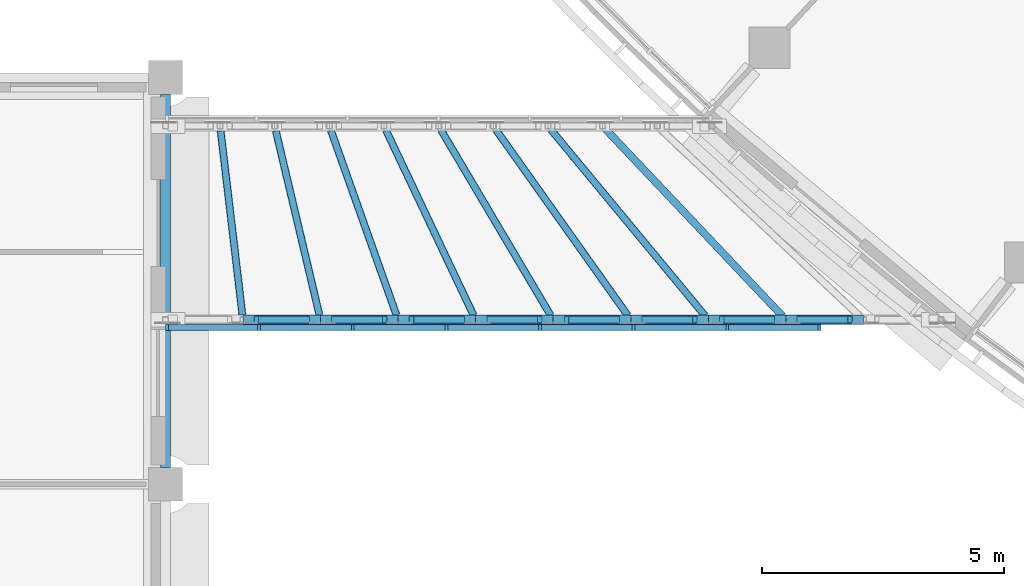
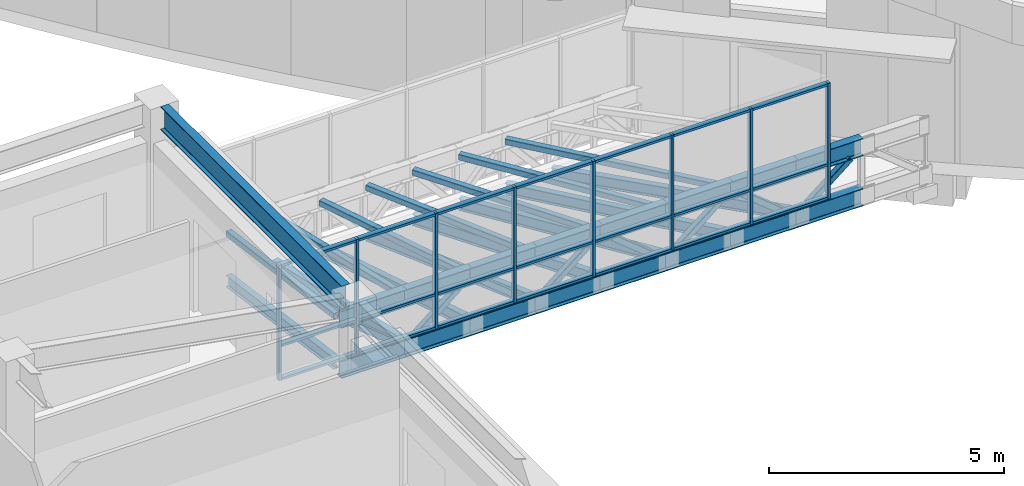
# One storey, part 4 of 136: 68 members, 1 beam, 1 element without a shape of its own.
"""IFC4 building model written with IfcOpenShell, lengths in metres."""

from ifc_helpers import new_model, si_unit, direction, frame, origin, origin_2d, place, context, subcontext, project, spatial, rectangle, hollow_rectangle, i_section, extrude, material, material_profile, profile_set, type_object, element, aggregate, save


model = new_model("IFC4")

# Units and contexts
model_context = context("Model", 3, precision=1e-05, world=origin(), true_north=direction((0.0, 1.0)))
body_context = subcontext(model_context, "Body", "Model", "MODEL_VIEW")
ifc_project = project(units=[si_unit("LENGTHUNIT", "METRE"), si_unit("AREAUNIT", "SQUARE_METRE"), si_unit("VOLUMEUNIT", "CUBIC_METRE"), si_unit("PLANEANGLEUNIT", "RADIAN"), si_unit("MASSUNIT", "GRAM", prefix="KILO")], contexts=[model_context])

# Site, building, storey
site_placement = place(None, origin())
site = spatial("IfcSite", under=ifc_project, at=site_placement, CompositionType="ELEMENT")
building_placement = place(site_placement, origin())
building = spatial("IfcBuilding", under=site, at=building_placement, Name="Bougainvillea Quay General Hospital", CompositionType="ELEMENT")
storey_placement = place(building_placement, frame((0.0, 0.0, 5.39990234375)))
storey = spatial("IfcBuildingStorey", under=building, at=storey_placement, Name="L01", CompositionType="ELEMENT", Elevation=5.39990234375)

# Curtain wall, members
ifc_material_1 = material(Name="Aluminium curtain wall system, powder-coated glazed", Category="aluminium")
curtain_wall_type = type_object("IfcCurtainWallType", Name="Unitised curtain wall CW-2100", PredefinedType="NOTDEFINED", material=ifc_material_1)
curtain_wall_placement = place(storey_placement, origin())
curtain_wall = element("IfcCurtainWall", 1, at=curtain_wall_placement, inside=storey, type_object=curtain_wall_type, Name="BG-R R", PredefinedType="NOTDEFINED")
ifc_material_2 = material(Name="Aluminium mullion, powder-coated charcoal", Category="aluminium")
ifc_material_profile_1 = material_profile(ifc_material_2, rectangle(XDim=0.1201171875, YDim=0.06005859375, at=origin_2d()))
ifc_profile_set_1 = profile_set([ifc_material_profile_1], Name="Aluminium mullion, powder-coated charcoal")
member_type_1 = type_object("IfcMemberType", Name="Curtain wall mullion 120x60", PredefinedType="MULLION", material=ifc_profile_set_1)
member_1_placement = place(storey_placement, frame((63.909912109375, 70.43994140625, 0.0), z_axis=(0.0, 0.0, 1.0), x_axis=(0.0, -1.0, 0.0)))
member_1 = element("IfcMember", 2, at=member_1_placement, type_object=member_type_1, Name="BG-R mullion 1", PredefinedType="MULLION", context=body_context, shape_type="SweptSolid", body=[
    extrude(rectangle(XDim=0.1201171875, YDim=0.06005859375, at=origin_2d()), origin(), (0.0, 0.0, 1.0), 3.0),
])
member_2_placement = place(storey_placement, frame((62.005615234375, 70.43994140625, 0.0), z_axis=(0.0, 0.0, 1.0), x_axis=(0.0, -1.0, 0.0)))
member_2 = element("IfcMember", 3, at=member_2_placement, type_object=member_type_1, Name="BG-R mullion 2", PredefinedType="MULLION", context=body_context, shape_type="SweptSolid", body=[
    extrude(rectangle(XDim=0.1201171875, YDim=0.06005859375, at=origin_2d()), origin(), (0.0, 0.0, 1.0), 3.0),
])
member_3_placement = place(storey_placement, frame((60.071533203125, 70.43994140625, 0.0), z_axis=(0.0, 0.0, 1.0), x_axis=(0.0, -1.0, 0.0)))
member_3 = element("IfcMember", 4, at=member_3_placement, type_object=member_type_1, Name="BG-R mullion 3", PredefinedType="MULLION", context=body_context, shape_type="SweptSolid", body=[
    extrude(rectangle(XDim=0.1201171875, YDim=0.06005859375, at=origin_2d()), origin(), (0.0, 0.0, 1.0), 3.0),
])
member_4_placement = place(storey_placement, frame((58.13720703125, 70.43994140625, 0.0), z_axis=(0.0, 0.0, 1.0), x_axis=(0.0, -1.0, 0.0)))
member_4 = element("IfcMember", 5, at=member_4_placement, type_object=member_type_1, Name="BG-R mullion 4", PredefinedType="MULLION", context=body_context, shape_type="SweptSolid", body=[
    extrude(rectangle(XDim=0.1201171875, YDim=0.06005859375, at=origin_2d()), origin(), (0.0, 0.0, 1.0), 3.0),
])
member_5_placement = place(storey_placement, frame((56.202880859375, 70.43994140625, 0.0), z_axis=(0.0, 0.0, 1.0), x_axis=(0.0, -1.0, 0.0)))
member_5 = element("IfcMember", 6, at=member_5_placement, type_object=member_type_1, Name="BG-R mullion 5", PredefinedType="MULLION", context=body_context, shape_type="SweptSolid", body=[
    extrude(rectangle(XDim=0.1201171875, YDim=0.06005859375, at=origin_2d()), origin(), (0.0, 0.0, 1.0), 3.0),
])
member_6_placement = place(storey_placement, frame((54.2685546875, 70.43994140625, 0.0), z_axis=(0.0, 0.0, 1.0), x_axis=(0.0, -1.0, 0.0)))
member_6 = element("IfcMember", 7, at=member_6_placement, type_object=member_type_1, Name="BG-R mullion 6", PredefinedType="MULLION", context=body_context, shape_type="SweptSolid", body=[
    extrude(rectangle(XDim=0.1201171875, YDim=0.06005859375, at=origin_2d()), origin(), (0.0, 0.0, 1.0), 3.0),
])
member_7_placement = place(storey_placement, frame((52.334228515625, 70.43994140625, 0.0), z_axis=(0.0, 0.0, 1.0), x_axis=(0.0, -1.0, 0.0)))
member_7 = element("IfcMember", 8, at=member_7_placement, type_object=member_type_1, Name="BG-R mullion 7", PredefinedType="MULLION", context=body_context, shape_type="SweptSolid", body=[
    extrude(rectangle(XDim=0.1201171875, YDim=0.06005859375, at=origin_2d()), origin(), (0.0, 0.0, 1.0), 3.0),
])
member_8_placement = place(storey_placement, frame((50.429931640625, 70.43994140625, 0.0), z_axis=(0.0, 0.0, 1.0), x_axis=(0.0, -1.0, 0.0)))
member_8 = element("IfcMember", 9, at=member_8_placement, type_object=member_type_1, Name="BG-R mullion 8", PredefinedType="MULLION", context=body_context, shape_type="SweptSolid", body=[
    extrude(rectangle(XDim=0.1201171875, YDim=0.06005859375, at=origin_2d()), origin(), (0.0, 0.0, 1.0), 3.0),
])
ifc_material_3 = material(Name="Aluminium transom, powder-coated charcoal", Category="aluminium")
ifc_material_profile_2 = material_profile(ifc_material_3, rectangle(XDim=0.1201171875, YDim=0.06005859375, at=origin_2d()))
ifc_profile_set_2 = profile_set([ifc_material_profile_2], Name="Aluminium transom, powder-coated charcoal")
member_type_2 = type_object("IfcMemberType", Name="Curtain wall transom 120x60", PredefinedType="USERDEFINED", material=ifc_profile_set_2)
member_9_placement = place(storey_placement, frame((63.8798828125, 70.43994140625, 0.030029296875), z_axis=(-1.0, 0.0, 0.0), x_axis=(0.0, -1.0, 0.0)))
member_9 = element("IfcMember", 10, at=member_9_placement, type_object=member_type_2, Name="BG-R transom 1.1", ObjectType="TRANSOM", PredefinedType="USERDEFINED", context=body_context, shape_type="SweptSolid", body=[
    extrude(rectangle(XDim=0.1201171875, YDim=0.06005859375, at=origin_2d()), origin(), (0.0, 0.0, 1.0), 1.84423828125),
])
member_10_placement = place(storey_placement, frame((63.8798828125, 70.43994140625, 0.900146484375), z_axis=(-1.0, 0.0, 0.0), x_axis=(0.0, -1.0, 0.0)))
member_10 = element("IfcMember", 11, at=member_10_placement, type_object=member_type_2, Name="BG-R transom 1.2", ObjectType="TRANSOM", PredefinedType="USERDEFINED", context=body_context, shape_type="SweptSolid", body=[
    extrude(rectangle(XDim=0.1201171875, YDim=0.06005859375, at=origin_2d()), origin(), (0.0, 0.0, 1.0), 1.84423828125),
])
member_11_placement = place(storey_placement, frame((63.8798828125, 70.43994140625, 2.97021484375), z_axis=(-1.0, 0.0, 0.0), x_axis=(0.0, -1.0, 0.0)))
member_11 = element("IfcMember", 12, at=member_11_placement, type_object=member_type_2, Name="BG-R transom 1.3", ObjectType="TRANSOM", PredefinedType="USERDEFINED", context=body_context, shape_type="SweptSolid", body=[
    extrude(rectangle(XDim=0.1201171875, YDim=0.06005859375, at=origin_2d()), origin(), (0.0, 0.0, 1.0), 1.84423828125),
])
member_12_placement = place(storey_placement, frame((61.975830078125, 70.43994140625, 0.030029296875), z_axis=(-1.0, 0.0, 0.0), x_axis=(0.0, -1.0, 0.0)))
member_12 = element("IfcMember", 13, at=member_12_placement, type_object=member_type_2, Name="BG-R transom 2.1", ObjectType="TRANSOM", PredefinedType="USERDEFINED", context=body_context, shape_type="SweptSolid", body=[
    extrude(rectangle(XDim=0.1201171875, YDim=0.06005859375, at=origin_2d()), origin(), (0.0, 0.0, 1.0), 1.87451171875),
])
member_13_placement = place(storey_placement, frame((61.975830078125, 70.43994140625, 0.900146484375), z_axis=(-1.0, 0.0, 0.0), x_axis=(0.0, -1.0, 0.0)))
member_13 = element("IfcMember", 14, at=member_13_placement, type_object=member_type_2, Name="BG-R transom 2.2", ObjectType="TRANSOM", PredefinedType="USERDEFINED", context=body_context, shape_type="SweptSolid", body=[
    extrude(rectangle(XDim=0.1201171875, YDim=0.06005859375, at=origin_2d()), origin(), (0.0, 0.0, 1.0), 1.87451171875),
])
member_14_placement = place(storey_placement, frame((61.975830078125, 70.43994140625, 2.97021484375), z_axis=(-1.0, 0.0, 0.0), x_axis=(0.0, -1.0, 0.0)))
member_14 = element("IfcMember", 15, at=member_14_placement, type_object=member_type_2, Name="BG-R transom 2.3", ObjectType="TRANSOM", PredefinedType="USERDEFINED", context=body_context, shape_type="SweptSolid", body=[
    extrude(rectangle(XDim=0.1201171875, YDim=0.06005859375, at=origin_2d()), origin(), (0.0, 0.0, 1.0), 1.87451171875),
])
member_15_placement = place(storey_placement, frame((60.04150390625, 70.43994140625, 0.030029296875), z_axis=(-1.0, 0.0, 0.0), x_axis=(0.0, -1.0, 0.0)))
member_15 = element("IfcMember", 16, at=member_15_placement, type_object=member_type_2, Name="BG-R transom 3.1", ObjectType="TRANSOM", PredefinedType="USERDEFINED", context=body_context, shape_type="SweptSolid", body=[
    extrude(rectangle(XDim=0.1201171875, YDim=0.06005859375, at=origin_2d()), origin(), (0.0, 0.0, 1.0), 1.874267578125),
])
member_16_placement = place(storey_placement, frame((60.04150390625, 70.43994140625, 0.900146484375), z_axis=(-1.0, 0.0, 0.0), x_axis=(0.0, -1.0, 0.0)))
member_16 = element("IfcMember", 17, at=member_16_placement, type_object=member_type_2, Name="BG-R transom 3.2", ObjectType="TRANSOM", PredefinedType="USERDEFINED", context=body_context, shape_type="SweptSolid", body=[
    extrude(rectangle(XDim=0.1201171875, YDim=0.06005859375, at=origin_2d()), origin(), (0.0, 0.0, 1.0), 1.874267578125),
])
member_17_placement = place(storey_placement, frame((60.04150390625, 70.43994140625, 2.97021484375), z_axis=(-1.0, 0.0, 0.0), x_axis=(0.0, -1.0, 0.0)))
member_17 = element("IfcMember", 18, at=member_17_placement, type_object=member_type_2, Name="BG-R transom 3.3", ObjectType="TRANSOM", PredefinedType="USERDEFINED", context=body_context, shape_type="SweptSolid", body=[
    extrude(rectangle(XDim=0.1201171875, YDim=0.06005859375, at=origin_2d()), origin(), (0.0, 0.0, 1.0), 1.874267578125),
])
member_18_placement = place(storey_placement, frame((58.107177734375, 70.43994140625, 0.030029296875), z_axis=(-1.0, 0.0, 0.0), x_axis=(0.0, -1.0, 0.0)))
member_18 = element("IfcMember", 19, at=member_18_placement, type_object=member_type_2, Name="BG-R transom 4.1", ObjectType="TRANSOM", PredefinedType="USERDEFINED", context=body_context, shape_type="SweptSolid", body=[
    extrude(rectangle(XDim=0.1201171875, YDim=0.06005859375, at=origin_2d()), origin(), (0.0, 0.0, 1.0), 1.874267578125),
])
member_19_placement = place(storey_placement, frame((58.107177734375, 70.43994140625, 0.900146484375), z_axis=(-1.0, 0.0, 0.0), x_axis=(0.0, -1.0, 0.0)))
member_19 = element("IfcMember", 20, at=member_19_placement, type_object=member_type_2, Name="BG-R transom 4.2", ObjectType="TRANSOM", PredefinedType="USERDEFINED", context=body_context, shape_type="SweptSolid", body=[
    extrude(rectangle(XDim=0.1201171875, YDim=0.06005859375, at=origin_2d()), origin(), (0.0, 0.0, 1.0), 1.874267578125),
])
member_20_placement = place(storey_placement, frame((58.107177734375, 70.43994140625, 2.97021484375), z_axis=(-1.0, 0.0, 0.0), x_axis=(0.0, -1.0, 0.0)))
member_20 = element("IfcMember", 21, at=member_20_placement, type_object=member_type_2, Name="BG-R transom 4.3", ObjectType="TRANSOM", PredefinedType="USERDEFINED", context=body_context, shape_type="SweptSolid", body=[
    extrude(rectangle(XDim=0.1201171875, YDim=0.06005859375, at=origin_2d()), origin(), (0.0, 0.0, 1.0), 1.874267578125),
])
member_21_placement = place(storey_placement, frame((56.1728515625, 70.43994140625, 0.030029296875), z_axis=(-1.0, 0.0, 0.0), x_axis=(0.0, -1.0, 0.0)))
member_21 = element("IfcMember", 22, at=member_21_placement, type_object=member_type_2, Name="BG-R transom 5.1", ObjectType="TRANSOM", PredefinedType="USERDEFINED", context=body_context, shape_type="SweptSolid", body=[
    extrude(rectangle(XDim=0.1201171875, YDim=0.06005859375, at=origin_2d()), origin(), (0.0, 0.0, 1.0), 1.874267578125),
])
member_22_placement = place(storey_placement, frame((56.1728515625, 70.43994140625, 0.900146484375), z_axis=(-1.0, 0.0, 0.0), x_axis=(0.0, -1.0, 0.0)))
member_22 = element("IfcMember", 23, at=member_22_placement, type_object=member_type_2, Name="BG-R transom 5.2", ObjectType="TRANSOM", PredefinedType="USERDEFINED", context=body_context, shape_type="SweptSolid", body=[
    extrude(rectangle(XDim=0.1201171875, YDim=0.06005859375, at=origin_2d()), origin(), (0.0, 0.0, 1.0), 1.874267578125),
])
member_23_placement = place(storey_placement, frame((56.1728515625, 70.43994140625, 2.97021484375), z_axis=(-1.0, 0.0, 0.0), x_axis=(0.0, -1.0, 0.0)))
member_23 = element("IfcMember", 24, at=member_23_placement, type_object=member_type_2, Name="BG-R transom 5.3", ObjectType="TRANSOM", PredefinedType="USERDEFINED", context=body_context, shape_type="SweptSolid", body=[
    extrude(rectangle(XDim=0.1201171875, YDim=0.06005859375, at=origin_2d()), origin(), (0.0, 0.0, 1.0), 1.874267578125),
])
member_24_placement = place(storey_placement, frame((54.238525390625, 70.43994140625, 0.030029296875), z_axis=(-1.0, 0.0, 0.0), x_axis=(0.0, -1.0, 0.0)))
member_24 = element("IfcMember", 25, at=member_24_placement, type_object=member_type_2, Name="BG-R transom 6.1", ObjectType="TRANSOM", PredefinedType="USERDEFINED", context=body_context, shape_type="SweptSolid", body=[
    extrude(rectangle(XDim=0.1201171875, YDim=0.06005859375, at=origin_2d()), origin(), (0.0, 0.0, 1.0), 1.874267578125),
])
member_25_placement = place(storey_placement, frame((54.238525390625, 70.43994140625, 0.900146484375), z_axis=(-1.0, 0.0, 0.0), x_axis=(0.0, -1.0, 0.0)))
member_25 = element("IfcMember", 26, at=member_25_placement, type_object=member_type_2, Name="BG-R transom 6.2", ObjectType="TRANSOM", PredefinedType="USERDEFINED", context=body_context, shape_type="SweptSolid", body=[
    extrude(rectangle(XDim=0.1201171875, YDim=0.06005859375, at=origin_2d()), origin(), (0.0, 0.0, 1.0), 1.874267578125),
])
member_26_placement = place(storey_placement, frame((54.238525390625, 70.43994140625, 2.97021484375), z_axis=(-1.0, 0.0, 0.0), x_axis=(0.0, -1.0, 0.0)))
member_26 = element("IfcMember", 27, at=member_26_placement, type_object=member_type_2, Name="BG-R transom 6.3", ObjectType="TRANSOM", PredefinedType="USERDEFINED", context=body_context, shape_type="SweptSolid", body=[
    extrude(rectangle(XDim=0.1201171875, YDim=0.06005859375, at=origin_2d()), origin(), (0.0, 0.0, 1.0), 1.874267578125),
])
member_27_placement = place(storey_placement, frame((52.30419921875, 70.43994140625, 0.030029296875), z_axis=(-1.0, 0.0, 0.0), x_axis=(0.0, -1.0, 0.0)))
member_27 = element("IfcMember", 28, at=member_27_placement, type_object=member_type_2, Name="BG-R transom 7.1", ObjectType="TRANSOM", PredefinedType="USERDEFINED", context=body_context, shape_type="SweptSolid", body=[
    extrude(rectangle(XDim=0.1201171875, YDim=0.06005859375, at=origin_2d()), origin(), (0.0, 0.0, 1.0), 1.84423828125),
])
member_28_placement = place(storey_placement, frame((52.30419921875, 70.43994140625, 0.900146484375), z_axis=(-1.0, 0.0, 0.0), x_axis=(0.0, -1.0, 0.0)))
member_28 = element("IfcMember", 29, at=member_28_placement, type_object=member_type_2, Name="BG-R transom 7.2", ObjectType="TRANSOM", PredefinedType="USERDEFINED", context=body_context, shape_type="SweptSolid", body=[
    extrude(rectangle(XDim=0.1201171875, YDim=0.06005859375, at=origin_2d()), origin(), (0.0, 0.0, 1.0), 1.84423828125),
])
member_29_placement = place(storey_placement, frame((52.30419921875, 70.43994140625, 2.97021484375), z_axis=(-1.0, 0.0, 0.0), x_axis=(0.0, -1.0, 0.0)))
member_29 = element("IfcMember", 30, at=member_29_placement, type_object=member_type_2, Name="BG-R transom 7.3", ObjectType="TRANSOM", PredefinedType="USERDEFINED", context=body_context, shape_type="SweptSolid", body=[
    extrude(rectangle(XDim=0.1201171875, YDim=0.06005859375, at=origin_2d()), origin(), (0.0, 0.0, 1.0), 1.84423828125),
])
aggregate(curtain_wall, [member_1, member_2, member_3, member_4, member_5, member_6, member_7, member_8, member_9, member_10, member_11, member_12, member_13, member_14, member_15, member_16, member_17, member_18, member_19, member_20, member_21, member_22, member_23, member_24, member_25, member_26, member_27, member_28, member_29])

# Members
ifc_material_4 = material(Name="Steel Q355", Category="steel")
ifc_material_profile_3 = material_profile(ifc_material_4, i_section(OverallWidth=0.14990234375, OverallDepth=0.300048828125, WebThickness=0.006591796875, FlangeThickness=0.009033203125, FilletRadius=0.012939453125, at=origin_2d()))
ifc_profile_set_3 = profile_set([ifc_material_profile_3], Name="Steel Q355")
member_type_3 = type_object("IfcMemberType", Name="HN 300x150x6.5x9 Q355 STRUT", PredefinedType="STRUT", material=ifc_profile_set_3)
member_30_placement = place(storey_placement, frame((51.54052734375, 74.500732421875, -0.27001953125), z_axis=(0.117477690031, -0.993075521974, 0.0), x_axis=(0.993075521974, 0.117477690031, 0.0)))
element("IfcMember", 31, at=member_30_placement, inside=storey, type_object=member_type_3, Name="Bridge floor beam", PredefinedType="STRUT", context=body_context, shape_type="SweptSolid", body=[
    extrude(i_section(OverallWidth=0.14990234375, OverallDepth=0.300048828125, WebThickness=0.006591796875, FlangeThickness=0.009033203125, FilletRadius=0.012939453125, at=origin_2d()), origin(), (0.0, 0.0, 1.0), 3.828125),
])
member_31_placement = place(storey_placement, frame((52.680419921875, 74.502685546875, -0.27001953125), z_axis=(0.230250137439, -0.973131478378, 0.0), x_axis=(0.973131478378, 0.230250137439, 0.0)))
element("IfcMember", 32, at=member_31_placement, inside=storey, type_object=member_type_3, Name="Bridge floor beam", PredefinedType="STRUT", context=body_context, shape_type="SweptSolid", body=[
    extrude(i_section(OverallWidth=0.14990234375, OverallDepth=0.300048828125, WebThickness=0.006591796875, FlangeThickness=0.009033203125, FilletRadius=0.012939453125, at=origin_2d()), origin(), (0.0, 0.0, 1.0), 3.910400390625),
])
member_32_placement = place(storey_placement, frame((53.819580078125, 74.505859375, -0.27001953125), z_axis=(0.334477293627, -0.94240380944, 0.0), x_axis=(0.94240380944, 0.334477293627, 0.0)))
element("IfcMember", 33, at=member_32_placement, inside=storey, type_object=member_type_3, Name="Bridge floor beam", PredefinedType="STRUT", context=body_context, shape_type="SweptSolid", body=[
    extrude(i_section(OverallWidth=0.14990234375, OverallDepth=0.300048828125, WebThickness=0.006591796875, FlangeThickness=0.009033203125, FilletRadius=0.012939453125, at=origin_2d()), origin(), (0.0, 0.0, 1.0), 4.04443359375),
])
member_33_placement = place(storey_placement, frame((54.957763671875, 74.509521484375, -0.27001953125), z_axis=(0.427763415534, -0.90389073473, 0.0), x_axis=(0.90389073473, 0.427763415534, 0.0)))
element("IfcMember", 34, at=member_33_placement, inside=storey, type_object=member_type_3, Name="Bridge floor beam", PredefinedType="STRUT", context=body_context, shape_type="SweptSolid", body=[
    extrude(i_section(OverallWidth=0.14990234375, OverallDepth=0.300048828125, WebThickness=0.006591796875, FlangeThickness=0.009033203125, FilletRadius=0.012939453125, at=origin_2d()), origin(), (0.0, 0.0, 1.0), 4.22509765625),
])
member_34_placement = place(storey_placement, frame((56.0947265625, 74.513916015625, -0.27001953125), z_axis=(0.509101007378, -0.860706781829, 0.0), x_axis=(0.860706781829, 0.509101007378, 0.0)))
element("IfcMember", 35, at=member_34_placement, inside=storey, type_object=member_type_3, Name="Bridge floor beam", PredefinedType="STRUT", context=body_context, shape_type="SweptSolid", body=[
    extrude(i_section(OverallWidth=0.14990234375, OverallDepth=0.300048828125, WebThickness=0.006591796875, FlangeThickness=0.009033203125, FilletRadius=0.012939453125, at=origin_2d()), origin(), (0.0, 0.0, 1.0), 4.447265625),
])
member_35_placement = place(storey_placement, frame((57.230224609375, 74.5185546875, -0.27001953125), z_axis=(0.578840504705, -0.815440782713, 0.0), x_axis=(0.815440782713, 0.578840504705, 0.0)))
element("IfcMember", 36, at=member_35_placement, inside=storey, type_object=member_type_3, Name="Bridge floor beam", PredefinedType="STRUT", context=body_context, shape_type="SweptSolid", body=[
    extrude(i_section(OverallWidth=0.14990234375, OverallDepth=0.300048828125, WebThickness=0.006591796875, FlangeThickness=0.009033203125, FilletRadius=0.012939453125, at=origin_2d()), origin(), (0.0, 0.0, 1.0), 4.705322265625),
])
member_36_placement = place(storey_placement, frame((58.364990234375, 74.52294921875, -0.27001953125), z_axis=(0.637800829279, -0.770201338723, 0.0), x_axis=(0.770201338723, 0.637800829279, 0.0)))
element("IfcMember", 37, at=member_36_placement, inside=storey, type_object=member_type_3, Name="Bridge floor beam", PredefinedType="STRUT", context=body_context, shape_type="SweptSolid", body=[
    extrude(i_section(OverallWidth=0.14990234375, OverallDepth=0.300048828125, WebThickness=0.006591796875, FlangeThickness=0.009033203125, FilletRadius=0.012939453125, at=origin_2d()), origin(), (0.0, 0.0, 1.0), 4.993408203125),
])
member_37_placement = place(storey_placement, frame((59.498779296875, 74.52734375, -0.27001953125), z_axis=(0.687380925046, -0.726297090648, 0.0), x_axis=(0.726297090648, 0.687380925046, 0.0)))
element("IfcMember", 38, at=member_37_placement, inside=storey, type_object=member_type_3, Name="Bridge floor beam", PredefinedType="STRUT", context=body_context, shape_type="SweptSolid", body=[
    extrude(i_section(OverallWidth=0.14990234375, OverallDepth=0.300048828125, WebThickness=0.006591796875, FlangeThickness=0.009033203125, FilletRadius=0.012939453125, at=origin_2d()), origin(), (0.0, 0.0, 1.0), 5.307373046875),
])
ifc_material_profile_4 = material_profile(ifc_material_4, i_section(OverallWidth=0.199951171875, OverallDepth=0.449951171875, WebThickness=0.009033203125, FlangeThickness=0.013916015625, FilletRadius=0.012939453125, at=origin_2d()))
ifc_profile_set_4 = profile_set([ifc_material_profile_4], Name="Steel Q355")
member_type_4 = type_object("IfcMemberType", Name="HN 450x200x9x14 Q355 CHORD", PredefinedType="CHORD", material=ifc_profile_set_4)
for number, where, z_axis, x_axis, name in (
    (39, (52.001953125, 70.60009765625, -0.344970703125), (1.0, 0.0, 0.0), (0.0, 1.0, 0.0), "Bottom chord"),
    (40, (52.001953125, 70.60009765625, 0.955078125), (1.0, 0.0, 0.0), (0.0, 1.0, 0.0), "Top chord"),
):
    element("IfcMember", number, at=place(storey_placement, frame(where, z_axis=z_axis, x_axis=x_axis)), inside=storey, type_object=member_type_4, Name=name, PredefinedType="CHORD", context=body_context, shape_type="SweptSolid", body=[
        extrude(i_section(OverallWidth=0.199951171875, OverallDepth=0.449951171875, WebThickness=0.009033203125, FlangeThickness=0.013916015625, FilletRadius=0.012939453125, at=origin_2d()), origin(), (0.0, 0.0, 1.0), 1.60205078125),
    ])
for number, where, z_axis, x_axis, name in (
    (41, (53.60400390625, 70.60009765625, -0.344970703125), (1.0, 0.0, 0.0), (0.0, 1.0, 0.0), "Bottom chord"),
    (42, (53.60400390625, 70.60009765625, 0.955078125), (1.0, 0.0, 0.0), (0.0, 1.0, 0.0), "Top chord"),
):
    element("IfcMember", number, at=place(storey_placement, frame(where, z_axis=z_axis, x_axis=x_axis)), inside=storey, type_object=member_type_4, Name=name, PredefinedType="CHORD", context=body_context, shape_type="SweptSolid", body=[
        extrude(i_section(OverallWidth=0.199951171875, OverallDepth=0.449951171875, WebThickness=0.009033203125, FlangeThickness=0.013916015625, FilletRadius=0.012939453125, at=origin_2d()), origin(), (0.0, 0.0, 1.0), 1.601806640625),
    ])
for number, where, z_axis, x_axis, name in (
    (43, (55.205810546875, 70.60009765625, -0.344970703125), (1.0, 0.0, 0.0), (0.0, 1.0, 0.0), "Bottom chord"),
    (44, (55.205810546875, 70.60009765625, 0.955078125), (1.0, 0.0, 0.0), (0.0, 1.0, 0.0), "Top chord"),
):
    element("IfcMember", number, at=place(storey_placement, frame(where, z_axis=z_axis, x_axis=x_axis)), inside=storey, type_object=member_type_4, Name=name, PredefinedType="CHORD", context=body_context, shape_type="SweptSolid", body=[
        extrude(i_section(OverallWidth=0.199951171875, OverallDepth=0.449951171875, WebThickness=0.009033203125, FlangeThickness=0.013916015625, FilletRadius=0.012939453125, at=origin_2d()), origin(), (0.0, 0.0, 1.0), 1.60205078125),
    ])
for number, where, z_axis, x_axis, name in (
    (45, (56.807861328125, 70.60009765625, -0.344970703125), (1.0, 0.0, 0.0), (0.0, 1.0, 0.0), "Bottom chord"),
    (46, (56.807861328125, 70.60009765625, 0.955078125), (1.0, 0.0, 0.0), (0.0, 1.0, 0.0), "Top chord"),
):
    element("IfcMember", number, at=place(storey_placement, frame(where, z_axis=z_axis, x_axis=x_axis)), inside=storey, type_object=member_type_4, Name=name, PredefinedType="CHORD", context=body_context, shape_type="SweptSolid", body=[
        extrude(i_section(OverallWidth=0.199951171875, OverallDepth=0.449951171875, WebThickness=0.009033203125, FlangeThickness=0.013916015625, FilletRadius=0.012939453125, at=origin_2d()), origin(), (0.0, 0.0, 1.0), 1.601806640625),
    ])
for number, where, z_axis, x_axis, name in (
    (47, (58.40966796875, 70.60009765625, -0.344970703125), (1.0, 0.0, 0.0), (0.0, 1.0, 0.0), "Bottom chord"),
    (48, (58.40966796875, 70.60009765625, 0.955078125), (1.0, 0.0, 0.0), (0.0, 1.0, 0.0), "Top chord"),
    (49, (60.01171875, 70.60009765625, -0.344970703125), (1.0, 0.0, 0.0), (0.0, 1.0, 0.0), "Bottom chord"),
    (50, (60.01171875, 70.60009765625, 0.955078125), (1.0, 0.0, 0.0), (0.0, 1.0, 0.0), "Top chord"),
):
    element("IfcMember", number, at=place(storey_placement, frame(where, z_axis=z_axis, x_axis=x_axis)), inside=storey, type_object=member_type_4, Name=name, PredefinedType="CHORD", context=body_context, shape_type="SweptSolid", body=[
        extrude(i_section(OverallWidth=0.199951171875, OverallDepth=0.449951171875, WebThickness=0.009033203125, FlangeThickness=0.013916015625, FilletRadius=0.012939453125, at=origin_2d()), origin(), (0.0, 0.0, 1.0), 1.60205078125),
    ])
for number, where, z_axis, x_axis, name in (
    (51, (61.61376953125, 70.60009765625, -0.344970703125), (1.0, 0.0, 0.0), (0.0, 1.0, 0.0), "Bottom chord"),
    (52, (61.61376953125, 70.60009765625, 0.955078125), (1.0, 0.0, 0.0), (0.0, 1.0, 0.0), "Top chord"),
):
    element("IfcMember", number, at=place(storey_placement, frame(where, z_axis=z_axis, x_axis=x_axis)), inside=storey, type_object=member_type_4, Name=name, PredefinedType="CHORD", context=body_context, shape_type="SweptSolid", body=[
        extrude(i_section(OverallWidth=0.199951171875, OverallDepth=0.449951171875, WebThickness=0.009033203125, FlangeThickness=0.013916015625, FilletRadius=0.012939453125, at=origin_2d()), origin(), (0.0, 0.0, 1.0), 1.601806640625),
    ])
for number, where, z_axis, x_axis, name in (
    (53, (63.215576171875, 70.60009765625, -0.344970703125), (1.0, 0.0, 0.0), (0.0, 1.0, 0.0), "Bottom chord"),
    (54, (63.215576171875, 70.60009765625, 0.955078125), (1.0, 0.0, 0.0), (0.0, 1.0, 0.0), "Top chord"),
):
    element("IfcMember", number, at=place(storey_placement, frame(where, z_axis=z_axis, x_axis=x_axis)), inside=storey, type_object=member_type_4, Name=name, PredefinedType="CHORD", context=body_context, shape_type="SweptSolid", body=[
        extrude(i_section(OverallWidth=0.199951171875, OverallDepth=0.449951171875, WebThickness=0.009033203125, FlangeThickness=0.013916015625, FilletRadius=0.012939453125, at=origin_2d()), origin(), (0.0, 0.0, 1.0), 1.60205078125),
    ])

# Beam
ifc_material_profile_5 = material_profile(ifc_material_4, i_section(OverallWidth=0.199951171875, OverallDepth=0.60009765625, WebThickness=0.010986328125, FlangeThickness=0.01708984375, FilletRadius=0.012939453125, at=origin_2d()))
ifc_profile_set_5 = profile_set([ifc_material_profile_5], Name="Steel Q355")
beam_type = type_object("IfcBeamType", Name="HN 600x200x11x17 Q355", PredefinedType="BEAM", material=ifc_profile_set_5)
beam_placement = place(storey_placement, frame((50.39990234375, 67.550048828125, 3.91015625), z_axis=(0.0, 1.0, 0.0), x_axis=(-1.0, 0.0, 0.0)))
element("IfcBeam", 55, at=beam_placement, inside=storey, type_object=beam_type, Name="Roof girder", PredefinedType="BEAM", context=body_context, shape_type="SweptSolid", body=[
    extrude(i_section(OverallWidth=0.199951171875, OverallDepth=0.60009765625, WebThickness=0.010986328125, FlangeThickness=0.01708984375, FilletRadius=0.012939453125, at=origin_2d()), origin(), (0.0, 0.0, 1.0), 7.699951171875),
])

# Members
ifc_material_profile_6 = material_profile(ifc_material_4, hollow_rectangle(XDim=0.14990234375, YDim=0.14990234375, WallThickness=0.008056640625, InnerFilletRadius=0.008056640625, OuterFilletRadius=0.01611328125, at=origin_2d()))
ifc_profile_set_6 = profile_set([ifc_material_profile_6], Name="Steel Q355")
member_type_5 = type_object("IfcMemberType", Name="SHS 150x150x8 Q355 BRACE", PredefinedType="BRACE", material=ifc_profile_set_6)
for number, where, z_axis, x_axis, name in (
    (56, (53.32666015625, 70.60009765625, -0.119873046875), (-0.776523552824, 0.0, 0.630088225497), (0.0, -1.0, 0.0), "Truss diagonal"),
    (57, (53.881103515625, 70.60009765625, -0.119873046875), (0.776595399803, 0.0, 0.629999670639), (0.0, 1.0, 0.0), "Truss diagonal"),
    (58, (56.530517578125, 70.60009765625, -0.119873046875), (-0.776523552824, 0.0, 0.630088225497), (0.0, -1.0, 0.0), "Truss diagonal"),
    (59, (57.085205078125, 70.60009765625, -0.119873046875), (0.776523552824, 0.0, 0.630088225497), (0.0, 1.0, 0.0), "Truss diagonal"),
    (60, (59.734375, 70.60009765625, -0.119873046875), (-0.776523552824, 0.0, 0.630088225497), (0.0, -1.0, 0.0), "Truss diagonal"),
    (61, (60.2890625, 70.60009765625, -0.119873046875), (0.776523552824, 0.0, 0.630088225497), (0.0, 1.0, 0.0), "Truss diagonal"),
    (62, (62.9384765625, 70.60009765625, -0.119873046875), (-0.776595399803, 0.0, 0.629999670639), (0.0, -1.0, 0.0), "Truss diagonal"),
    (63, (63.492919921875, 70.60009765625, -0.119873046875), (0.776523552824, 0.0, 0.630088225497), (0.0, 1.0, 0.0), "Truss diagonal"),
):
    element("IfcMember", number, at=place(storey_placement, frame(where, z_axis=z_axis, x_axis=x_axis)), inside=storey, type_object=member_type_5, Name=name, PredefinedType="BRACE", context=body_context, shape_type="SweptSolid", body=[
        extrude(hollow_rectangle(XDim=0.14990234375, YDim=0.14990234375, WallThickness=0.008056640625, InnerFilletRadius=0.008056640625, OuterFilletRadius=0.01611328125, at=origin_2d()), origin(), (0.0, 0.0, 1.0), 1.348876953125),
    ])
ifc_material_profile_7 = material_profile(ifc_material_4, hollow_rectangle(XDim=0.14990234375, YDim=0.14990234375, WallThickness=0.008056640625, InnerFilletRadius=0.008056640625, OuterFilletRadius=0.01611328125, at=origin_2d()))
ifc_profile_set_7 = profile_set([ifc_material_profile_7], Name="Steel Q355")
member_type_6 = type_object("IfcMemberType", Name="SHS 150x150x8 Q355 STRUT", PredefinedType="STRUT", material=ifc_profile_set_7)
member_38_placement = place(storey_placement, frame((51.54052734375, 74.500732421875, 0.955078125), z_axis=(0.117477690031, -0.993075521974, 0.0), x_axis=(0.993075521974, 0.117477690031, 0.0)))
element("IfcMember", 64, at=member_38_placement, inside=storey, type_object=member_type_6, Name="Top strut", PredefinedType="STRUT", context=body_context, shape_type="SweptSolid", body=[
    extrude(hollow_rectangle(XDim=0.14990234375, YDim=0.14990234375, WallThickness=0.008056640625, InnerFilletRadius=0.008056640625, OuterFilletRadius=0.01611328125, at=origin_2d()), origin(), (0.0, 0.0, 1.0), 3.828125),
])
member_39_placement = place(storey_placement, frame((52.680419921875, 74.502685546875, 0.955078125), z_axis=(0.230250137439, -0.973131478378, 0.0), x_axis=(0.973131478378, 0.230250137439, 0.0)))
element("IfcMember", 65, at=member_39_placement, inside=storey, type_object=member_type_6, Name="Top strut", PredefinedType="STRUT", context=body_context, shape_type="SweptSolid", body=[
    extrude(hollow_rectangle(XDim=0.14990234375, YDim=0.14990234375, WallThickness=0.008056640625, InnerFilletRadius=0.008056640625, OuterFilletRadius=0.01611328125, at=origin_2d()), origin(), (0.0, 0.0, 1.0), 3.910400390625),
])
member_40_placement = place(storey_placement, frame((53.819580078125, 74.505859375, 0.955078125), z_axis=(0.334477293627, -0.94240380944, 0.0), x_axis=(0.94240380944, 0.334477293627, 0.0)))
element("IfcMember", 66, at=member_40_placement, inside=storey, type_object=member_type_6, Name="Top strut", PredefinedType="STRUT", context=body_context, shape_type="SweptSolid", body=[
    extrude(hollow_rectangle(XDim=0.14990234375, YDim=0.14990234375, WallThickness=0.008056640625, InnerFilletRadius=0.008056640625, OuterFilletRadius=0.01611328125, at=origin_2d()), origin(), (0.0, 0.0, 1.0), 4.04443359375),
])
member_41_placement = place(storey_placement, frame((54.957763671875, 74.509521484375, 0.955078125), z_axis=(0.427763415534, -0.90389073473, 0.0), x_axis=(0.90389073473, 0.427763415534, 0.0)))
element("IfcMember", 67, at=member_41_placement, inside=storey, type_object=member_type_6, Name="Top strut", PredefinedType="STRUT", context=body_context, shape_type="SweptSolid", body=[
    extrude(hollow_rectangle(XDim=0.14990234375, YDim=0.14990234375, WallThickness=0.008056640625, InnerFilletRadius=0.008056640625, OuterFilletRadius=0.01611328125, at=origin_2d()), origin(), (0.0, 0.0, 1.0), 4.22509765625),
])
member_42_placement = place(storey_placement, frame((56.0947265625, 74.513916015625, 0.955078125), z_axis=(0.509101007378, -0.860706781829, 0.0), x_axis=(0.860706781829, 0.509101007378, 0.0)))
element("IfcMember", 68, at=member_42_placement, inside=storey, type_object=member_type_6, Name="Top strut", PredefinedType="STRUT", context=body_context, shape_type="SweptSolid", body=[
    extrude(hollow_rectangle(XDim=0.14990234375, YDim=0.14990234375, WallThickness=0.008056640625, InnerFilletRadius=0.008056640625, OuterFilletRadius=0.01611328125, at=origin_2d()), origin(), (0.0, 0.0, 1.0), 4.447265625),
])
member_43_placement = place(storey_placement, frame((57.230224609375, 74.5185546875, 0.955078125), z_axis=(0.578840504705, -0.815440782713, 0.0), x_axis=(0.815440782713, 0.578840504705, 0.0)))
element("IfcMember", 69, at=member_43_placement, inside=storey, type_object=member_type_6, Name="Top strut", PredefinedType="STRUT", context=body_context, shape_type="SweptSolid", body=[
    extrude(hollow_rectangle(XDim=0.14990234375, YDim=0.14990234375, WallThickness=0.008056640625, InnerFilletRadius=0.008056640625, OuterFilletRadius=0.01611328125, at=origin_2d()), origin(), (0.0, 0.0, 1.0), 4.705322265625),
])
member_44_placement = place(storey_placement, frame((58.364990234375, 74.52294921875, 0.955078125), z_axis=(0.637800829279, -0.770201338723, 0.0), x_axis=(0.770201338723, 0.637800829279, 0.0)))
element("IfcMember", 70, at=member_44_placement, inside=storey, type_object=member_type_6, Name="Top strut", PredefinedType="STRUT", context=body_context, shape_type="SweptSolid", body=[
    extrude(hollow_rectangle(XDim=0.14990234375, YDim=0.14990234375, WallThickness=0.008056640625, InnerFilletRadius=0.008056640625, OuterFilletRadius=0.01611328125, at=origin_2d()), origin(), (0.0, 0.0, 1.0), 4.993408203125),
])

save(model, "model.ifc")
